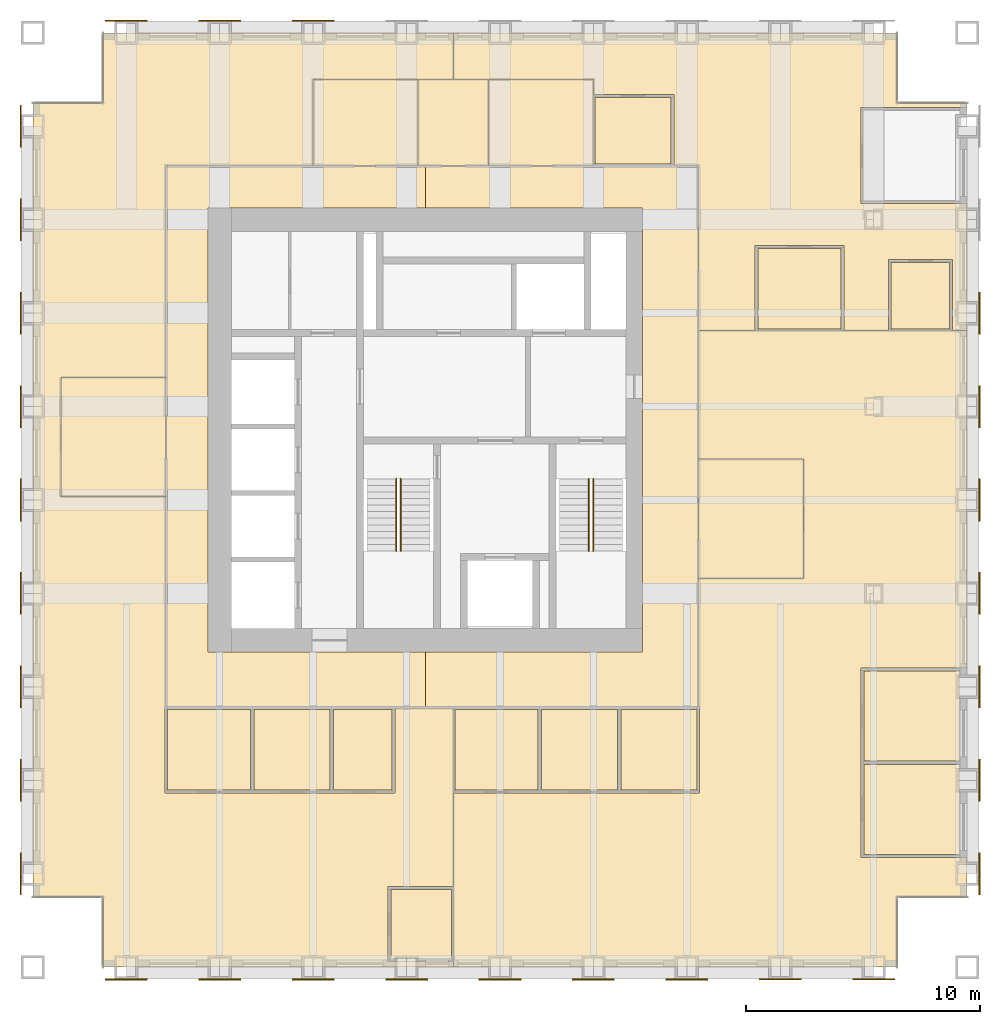
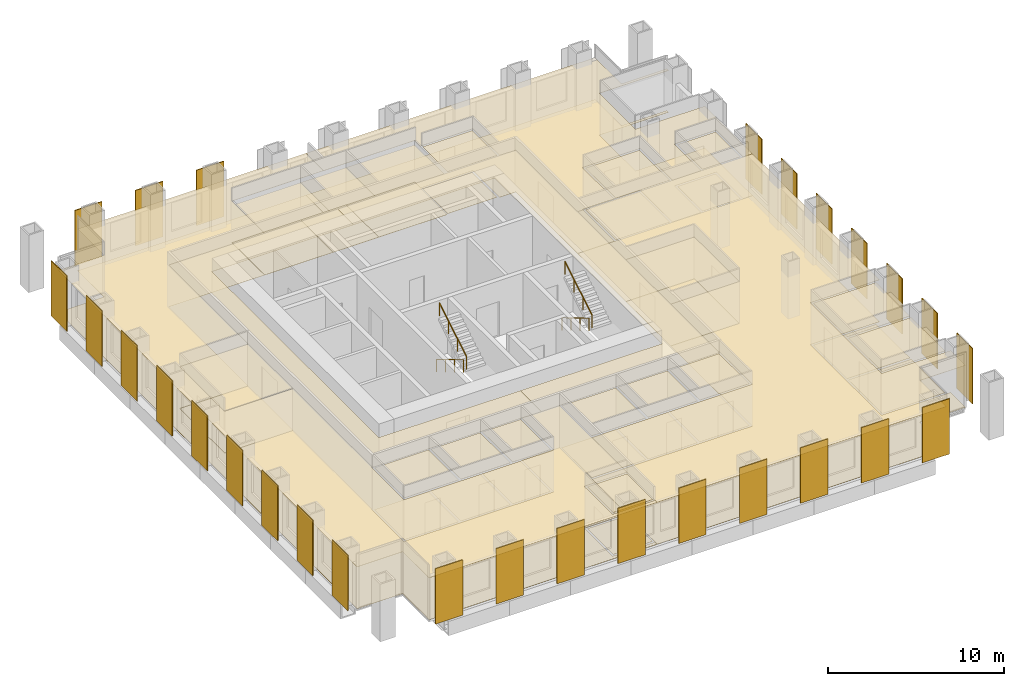
# One storey, part 12 of 13: 42 coverings, 28 shading devices, 4 railings.
"""IFC4 building model written with IfcOpenShell, lengths in metres."""

from ifc_helpers import new_model, si_unit, direction, frame, origin, origin_2d, place, context, subcontext, project, spatial, polyline, rectangle, circle, outline, extrude, material, layer, layer_set, type_object, element, save


model = new_model("IFC4")

# Units and contexts
model_context = context("Model", 3, precision=1e-05, world=origin(), true_north=direction((0.0, 1.0)))
body_context = subcontext(model_context, "Body", "Model", "MODEL_VIEW")
ifc_project = project(units=[si_unit("LENGTHUNIT", "METRE"), si_unit("AREAUNIT", "SQUARE_METRE"), si_unit("VOLUMEUNIT", "CUBIC_METRE"), si_unit("PLANEANGLEUNIT", "RADIAN"), si_unit("MASSUNIT", "GRAM", prefix="KILO")], contexts=[model_context])

# Site, building, storey
site_placement = place(None, origin())
site = spatial("IfcSite", under=ifc_project, at=site_placement, CompositionType="ELEMENT")
building_placement = place(site_placement, origin())
building = spatial("IfcBuilding", under=site, at=building_placement, Name="Rimbunsela Tower", CompositionType="ELEMENT")
storey_placement = place(building_placement, frame((0.0, 0.0, 262.199951171875)))
storey = spatial("IfcBuildingStorey", under=building, at=storey_placement, Name="L63", CompositionType="ELEMENT", Elevation=262.199951171875)

# Coverings
ifc_material_1 = material(Name="Nylon carpet tile", Category="textile")
ifc_layer_1 = layer(ifc_material_1, 0.010009765625)
ifc_layer_set_1 = layer_set([ifc_layer_1], Name="Carpet tile 10")
covering_type_1 = type_object("IfcCoveringType", Name="Carpet tile 10", PredefinedType="FLOORING", material=ifc_layer_set_1)
covering_1_placement = place(storey_placement, origin())
element("IfcCovering", 1, at=covering_1_placement, inside=storey, type_object=covering_type_1, Name="Floor finish Open office", PredefinedType="FLOORING", context=body_context, shape_type="SweptSolid", body=[
    extrude(outline(polyline([(19.449951171875, 11.449951171875), (22.75, 11.449951171875), (22.85009765625, 11.449951171875), (25.5, 11.449951171875), (25.5, 15.10009765625), (27.9990234375, 15.10009765625), (27.9990234375, 7.449951171875), (25.199951171875, 7.449951171875), (25.199951171875, 4.25), (27.9990234375, 4.25), (27.9990234375, 4.0), (15.699951171875, 4.0), (13.0, 4.0), (13.0, 7.0), (10.0, 7.0), (10.0, 41.0), (13.0, 41.0), (13.0, 44.0), (15.699951171875, 44.0), (27.9990234375, 44.0), (27.9990234375, 42.0), (22.0, 42.0), (22.0, 38.300048828125), (15.699951171875, 38.300048828125), (15.699951171875, 29.25), (11.199951171875, 29.25), (11.199951171875, 24.14990234375), (15.699951171875, 24.14990234375), (15.699951171875, 15.14990234375), (15.64990234375, 15.14990234375), (15.64990234375, 11.449951171875), (15.699951171875, 11.449951171875), (19.35009765625, 11.449951171875), (19.449951171875, 11.449951171875)])), origin(), (0.0, 0.0, 1.0), 0.010009765625),
])
covering_2_placement = place(storey_placement, origin())
element("IfcCovering", 2, at=covering_2_placement, inside=storey, type_object=covering_type_1, Name="Floor finish Open office", PredefinedType="FLOORING", context=body_context, shape_type="SweptSolid", body=[
    extrude(outline(polyline([(28.0009765625, 11.449951171875), (31.65087890625, 11.449951171875), (31.7509765625, 11.449951171875), (35.051025390625, 11.449951171875), (35.15087890625, 11.449951171875), (38.5, 11.449951171875), (38.550048828125, 11.449951171875), (38.550048828125, 15.14990234375), (38.5, 15.14990234375), (38.5, 20.64990234375), (43.0, 20.64990234375), (43.0, 25.75), (38.5, 25.75), (38.5, 31.2490234375), (50.0, 31.2490234375), (50.0, 16.800048828125), (45.449951171875, 16.800048828125), (45.449951171875, 12.800048828125), (45.449951171875, 12.699951171875), (45.449951171875, 8.699951171875), (50.0, 8.699951171875), (50.0, 7.0), (47.0, 7.0), (47.0, 4.0), (38.5, 4.0), (28.0009765625, 4.0), (28.0009765625, 11.449951171875)])), origin(), (0.0, 0.0, 1.0), 0.010009765625),
])
covering_3_placement = place(storey_placement, origin())
element("IfcCovering", 3, at=covering_3_placement, inside=storey, type_object=covering_type_1, Name="Floor finish Open office", PredefinedType="FLOORING", context=body_context, shape_type="SweptSolid", body=[
    extrude(outline(polyline([(50.0, 40.800048828125), (45.449951171875, 40.800048828125), (45.449951171875, 36.699951171875), (50.0, 36.699951171875), (50.0, 31.2509765625), (49.375, 31.2509765625), (49.375, 34.300048828125), (46.625, 34.300048828125), (46.625, 31.2509765625), (44.72509765625, 31.2509765625), (44.72509765625, 34.89990234375), (40.925048828125, 34.89990234375), (40.925048828125, 31.2509765625), (38.5, 31.2509765625), (38.5, 38.300048828125), (37.449951171875, 38.300048828125), (37.449951171875, 41.35009765625), (34.0, 41.35009765625), (34.0, 42.0), (28.0009765625, 42.0), (28.0009765625, 44.0), (38.5, 44.0), (47.0, 44.0), (47.0, 41.0), (50.0, 41.0), (50.0, 40.800048828125)])), origin(), (0.0, 0.0, 1.0), 0.010009765625),
])
covering_4_placement = place(storey_placement, origin())
element("IfcCovering", 4, at=covering_4_placement, inside=storey, type_object=covering_type_1, Name="Floor finish Reception", PredefinedType="FLOORING", context=body_context, shape_type="SweptSolid", body=[
    extrude(outline(polyline([(15.699951171875, 24.14990234375), (15.699951171875, 29.25), (11.199951171875, 29.25), (11.199951171875, 24.14990234375), (15.699951171875, 24.14990234375)])), origin(), (0.0, 0.0, 1.0), 0.010009765625),
])
covering_5_placement = place(storey_placement, origin())
element("IfcCovering", 5, at=covering_5_placement, inside=storey, type_object=covering_type_1, Name="Floor finish Reception", PredefinedType="FLOORING", context=body_context, shape_type="SweptSolid", body=[
    extrude(outline(polyline([(43.0, 20.64990234375), (43.0, 25.75), (38.5, 25.75), (38.5, 20.64990234375), (43.0, 20.64990234375)])), origin(), (0.0, 0.0, 1.0), 0.010009765625),
])
covering_6_placement = place(storey_placement, origin())
element("IfcCovering", 6, at=covering_6_placement, inside=storey, type_object=covering_type_1, Name="Floor finish Executive office", PredefinedType="FLOORING", context=body_context, shape_type="SweptSolid", body=[
    extrude(outline(polyline([(49.699951171875, 8.824951171875), (49.699951171875, 12.675048828125), (45.574951171875, 12.675048828125), (45.574951171875, 8.824951171875), (49.699951171875, 8.824951171875)])), origin(), (0.0, 0.0, 1.0), 0.010009765625),
])
covering_7_placement = place(storey_placement, origin())
element("IfcCovering", 7, at=covering_7_placement, inside=storey, type_object=covering_type_1, Name="Floor finish Executive office", PredefinedType="FLOORING", context=body_context, shape_type="SweptSolid", body=[
    extrude(outline(polyline([(49.699951171875, 12.824951171875), (49.699951171875, 16.675048828125), (45.574951171875, 16.675048828125), (45.574951171875, 12.824951171875), (49.699951171875, 12.824951171875)])), origin(), (0.0, 0.0, 1.0), 0.010009765625),
])
covering_8_placement = place(storey_placement, origin())
element("IfcCovering", 8, at=covering_8_placement, inside=storey, type_object=covering_type_1, Name="Floor finish Meeting room", PredefinedType="FLOORING", context=body_context, shape_type="SweptSolid", body=[
    extrude(outline(polyline([(19.324951171875, 11.574951171875), (19.324951171875, 15.02490234375), (15.77490234375, 15.02490234375), (15.77490234375, 11.574951171875), (19.324951171875, 11.574951171875)])), origin(), (0.0, 0.0, 1.0), 0.010009765625),
])
covering_9_placement = place(storey_placement, origin())
element("IfcCovering", 9, at=covering_9_placement, inside=storey, type_object=covering_type_1, Name="Floor finish Pantry", PredefinedType="FLOORING", context=body_context, shape_type="SweptSolid", body=[
    extrude(outline(polyline([(22.72509765625, 11.574951171875), (22.72509765625, 15.02490234375), (19.47509765625, 15.02490234375), (19.47509765625, 11.574951171875), (22.72509765625, 11.574951171875)])), origin(), (0.0, 0.0, 1.0), 0.010009765625),
])
covering_10_placement = place(storey_placement, origin())
element("IfcCovering", 10, at=covering_10_placement, inside=storey, type_object=covering_type_1, Name="Floor finish Print and copy room", PredefinedType="FLOORING", context=body_context, shape_type="SweptSolid", body=[
    extrude(outline(polyline([(25.375, 11.574951171875), (25.375, 15.02490234375), (22.875, 15.02490234375), (22.875, 11.574951171875), (25.375, 11.574951171875)])), origin(), (0.0, 0.0, 1.0), 0.010009765625),
])
covering_11_placement = place(storey_placement, origin())
element("IfcCovering", 11, at=covering_11_placement, inside=storey, type_object=covering_type_1, Name="Floor finish Meeting room", PredefinedType="FLOORING", context=body_context, shape_type="SweptSolid", body=[
    extrude(outline(polyline([(31.6259765625, 11.574951171875), (31.6259765625, 15.02490234375), (28.075927734375, 15.02490234375), (28.075927734375, 11.574951171875), (31.6259765625, 11.574951171875)])), origin(), (0.0, 0.0, 1.0), 0.010009765625),
])
covering_12_placement = place(storey_placement, origin())
element("IfcCovering", 12, at=covering_12_placement, inside=storey, type_object=covering_type_1, Name="Floor finish Pantry", PredefinedType="FLOORING", context=body_context, shape_type="SweptSolid", body=[
    extrude(outline(polyline([(35.02587890625, 11.574951171875), (35.02587890625, 15.02490234375), (31.77587890625, 15.02490234375), (31.77587890625, 11.574951171875), (35.02587890625, 11.574951171875)])), origin(), (0.0, 0.0, 1.0), 0.010009765625),
])
covering_13_placement = place(storey_placement, origin())
element("IfcCovering", 13, at=covering_13_placement, inside=storey, type_object=covering_type_1, Name="Floor finish Print and copy room", PredefinedType="FLOORING", context=body_context, shape_type="SweptSolid", body=[
    extrude(outline(polyline([(38.425048828125, 11.574951171875), (38.425048828125, 15.02490234375), (35.176025390625, 15.02490234375), (35.176025390625, 11.574951171875), (38.425048828125, 11.574951171875)])), origin(), (0.0, 0.0, 1.0), 0.010009765625),
])
covering_14_placement = place(storey_placement, origin())
element("IfcCovering", 14, at=covering_14_placement, inside=storey, type_object=covering_type_1, Name="Floor finish Office", PredefinedType="FLOORING", context=body_context, shape_type="SweptSolid", body=[
    extrude(outline(polyline([(27.925048828125, 4.375), (27.925048828125, 7.324951171875), (25.324951171875, 7.324951171875), (25.324951171875, 4.375), (27.925048828125, 4.375)])), origin(), (0.0, 0.0, 1.0), 0.010009765625),
])
covering_15_placement = place(storey_placement, origin())
element("IfcCovering", 15, at=covering_15_placement, inside=storey, type_object=covering_type_1, Name="Floor finish Meeting room", PredefinedType="FLOORING", context=body_context, shape_type="SweptSolid", body=[
    extrude(outline(polyline([(44.60009765625, 31.324951171875), (44.60009765625, 34.77490234375), (41.050048828125, 34.77490234375), (41.050048828125, 31.324951171875), (44.60009765625, 31.324951171875)])), origin(), (0.0, 0.0, 1.0), 0.010009765625),
])
covering_16_placement = place(storey_placement, origin())
element("IfcCovering", 16, at=covering_16_placement, inside=storey, type_object=covering_type_1, Name="Floor finish Pantry", PredefinedType="FLOORING", context=body_context, shape_type="SweptSolid", body=[
    extrude(outline(polyline([(37.324951171875, 38.375), (37.324951171875, 41.22509765625), (34.074951171875, 41.22509765625), (34.074951171875, 38.375), (37.324951171875, 38.375)])), origin(), (0.0, 0.0, 1.0), 0.010009765625),
])
covering_17_placement = place(storey_placement, origin())
element("IfcCovering", 17, at=covering_17_placement, inside=storey, type_object=covering_type_1, Name="Floor finish Print and copy room", PredefinedType="FLOORING", context=body_context, shape_type="SweptSolid", body=[
    extrude(outline(polyline([(49.25, 31.324951171875), (49.25, 34.175048828125), (46.75, 34.175048828125), (46.75, 31.324951171875), (49.25, 31.324951171875)])), origin(), (0.0, 0.0, 1.0), 0.010009765625),
])
ifc_material_2 = material(Name="Mineral fibre ceiling tile", Category="gypsum")
ifc_layer_2 = layer(ifc_material_2, 0.02001953125)
ifc_layer_set_2 = layer_set([ifc_layer_2], Name="Ceiling 600 grid")
covering_type_2 = type_object("IfcCoveringType", Name="Ceiling 600 grid", PredefinedType="CEILING", material=ifc_layer_set_2)
covering_18_placement = place(storey_placement, frame((0.0, 0.0, 2.900146484375)))
element("IfcCovering", 18, at=covering_18_placement, inside=storey, type_object=covering_type_2, Name="Ceiling Ring corridor", PredefinedType="CEILING", context=body_context, shape_type="SweptSolid", body=[
    extrude(outline(polyline([(15.699951171875, 38.300048828125), (26.800048828125, 38.300048828125), (26.800048828125, 36.5), (17.5, 36.5), (17.5, 17.5), (26.800048828125, 17.5), (26.800048828125, 15.10009765625), (15.699951171875, 15.10009765625), (15.699951171875, 38.300048828125)])), origin(), (0.0, 0.0, 1.0), 0.02001953125),
])
covering_19_placement = place(storey_placement, frame((0.0, 0.0, 2.900146484375)))
element("IfcCovering", 19, at=covering_19_placement, inside=storey, type_object=covering_type_2, Name="Ceiling Ring corridor", PredefinedType="CEILING", context=body_context, shape_type="SweptSolid", body=[
    extrude(outline(polyline([(38.5, 38.300048828125), (38.5, 15.10009765625), (26.800048828125, 15.10009765625), (26.800048828125, 17.5), (36.10009765625, 17.5), (36.10009765625, 36.5), (26.800048828125, 36.5), (26.800048828125, 38.300048828125), (38.5, 38.300048828125)])), origin(), (0.0, 0.0, 1.0), 0.02001953125),
])
covering_20_placement = place(storey_placement, frame((0.0, 0.0, 2.900146484375)))
element("IfcCovering", 20, at=covering_20_placement, inside=storey, type_object=covering_type_2, Name="Ceiling Open office", PredefinedType="CEILING", context=body_context, shape_type="SweptSolid", body=[
    extrude(outline(polyline([(19.449951171875, 11.449951171875), (22.75, 11.449951171875), (22.85009765625, 11.449951171875), (25.5, 11.449951171875), (25.5, 15.10009765625), (27.9990234375, 15.10009765625), (27.9990234375, 7.449951171875), (25.199951171875, 7.449951171875), (25.199951171875, 4.25), (27.9990234375, 4.25), (27.9990234375, 4.0), (15.699951171875, 4.0), (13.0, 4.0), (13.0, 7.0), (10.0, 7.0), (10.0, 41.0), (13.0, 41.0), (13.0, 44.0), (15.699951171875, 44.0), (27.9990234375, 44.0), (27.9990234375, 42.0), (22.0, 42.0), (22.0, 38.300048828125), (15.699951171875, 38.300048828125), (15.699951171875, 29.25), (11.199951171875, 29.25), (11.199951171875, 24.14990234375), (15.699951171875, 24.14990234375), (15.699951171875, 15.14990234375), (15.64990234375, 15.14990234375), (15.64990234375, 11.449951171875), (15.699951171875, 11.449951171875), (19.35009765625, 11.449951171875), (19.449951171875, 11.449951171875)])), origin(), (0.0, 0.0, 1.0), 0.02001953125),
])
covering_21_placement = place(storey_placement, frame((0.0, 0.0, 2.900146484375)))
element("IfcCovering", 21, at=covering_21_placement, inside=storey, type_object=covering_type_2, Name="Ceiling Open office", PredefinedType="CEILING", context=body_context, shape_type="SweptSolid", body=[
    extrude(outline(polyline([(28.0009765625, 11.449951171875), (31.65087890625, 11.449951171875), (31.7509765625, 11.449951171875), (35.051025390625, 11.449951171875), (35.15087890625, 11.449951171875), (38.5, 11.449951171875), (38.550048828125, 11.449951171875), (38.550048828125, 15.14990234375), (38.5, 15.14990234375), (38.5, 20.64990234375), (43.0, 20.64990234375), (43.0, 25.75), (38.5, 25.75), (38.5, 31.2490234375), (50.0, 31.2490234375), (50.0, 16.800048828125), (45.449951171875, 16.800048828125), (45.449951171875, 12.800048828125), (45.449951171875, 12.699951171875), (45.449951171875, 8.699951171875), (50.0, 8.699951171875), (50.0, 7.0), (47.0, 7.0), (47.0, 4.0), (38.5, 4.0), (28.0009765625, 4.0), (28.0009765625, 11.449951171875)])), origin(), (0.0, 0.0, 1.0), 0.02001953125),
])
covering_22_placement = place(storey_placement, frame((0.0, 0.0, 2.900146484375)))
element("IfcCovering", 22, at=covering_22_placement, inside=storey, type_object=covering_type_2, Name="Ceiling Open office", PredefinedType="CEILING", context=body_context, shape_type="SweptSolid", body=[
    extrude(outline(polyline([(50.0, 40.800048828125), (45.449951171875, 40.800048828125), (45.449951171875, 36.699951171875), (50.0, 36.699951171875), (50.0, 31.2509765625), (49.375, 31.2509765625), (49.375, 34.300048828125), (46.625, 34.300048828125), (46.625, 31.2509765625), (44.72509765625, 31.2509765625), (44.72509765625, 34.89990234375), (40.925048828125, 34.89990234375), (40.925048828125, 31.2509765625), (38.5, 31.2509765625), (38.5, 38.300048828125), (37.449951171875, 38.300048828125), (37.449951171875, 41.35009765625), (34.0, 41.35009765625), (34.0, 42.0), (28.0009765625, 42.0), (28.0009765625, 44.0), (38.5, 44.0), (47.0, 44.0), (47.0, 41.0), (50.0, 41.0), (50.0, 40.800048828125)])), origin(), (0.0, 0.0, 1.0), 0.02001953125),
])
covering_23_placement = place(storey_placement, frame((0.0, 0.0, 2.900146484375)))
element("IfcCovering", 23, at=covering_23_placement, inside=storey, type_object=covering_type_2, Name="Ceiling Reception", PredefinedType="CEILING", context=body_context, shape_type="SweptSolid", body=[
    extrude(outline(polyline([(15.699951171875, 24.14990234375), (15.699951171875, 29.25), (11.199951171875, 29.25), (11.199951171875, 24.14990234375), (15.699951171875, 24.14990234375)])), origin(), (0.0, 0.0, 1.0), 0.02001953125),
])
covering_24_placement = place(storey_placement, frame((0.0, 0.0, 2.900146484375)))
element("IfcCovering", 24, at=covering_24_placement, inside=storey, type_object=covering_type_2, Name="Ceiling Reception", PredefinedType="CEILING", context=body_context, shape_type="SweptSolid", body=[
    extrude(outline(polyline([(43.0, 20.64990234375), (43.0, 25.75), (38.5, 25.75), (38.5, 20.64990234375), (43.0, 20.64990234375)])), origin(), (0.0, 0.0, 1.0), 0.02001953125),
])
covering_25_placement = place(storey_placement, frame((0.0, 0.0, 2.900146484375)))
element("IfcCovering", 25, at=covering_25_placement, inside=storey, type_object=covering_type_2, Name="Ceiling Executive office", PredefinedType="CEILING", context=body_context, shape_type="SweptSolid", body=[
    extrude(outline(polyline([(49.699951171875, 8.824951171875), (49.699951171875, 12.675048828125), (45.574951171875, 12.675048828125), (45.574951171875, 8.824951171875), (49.699951171875, 8.824951171875)])), origin(), (0.0, 0.0, 1.0), 0.02001953125),
])
covering_26_placement = place(storey_placement, frame((0.0, 0.0, 2.900146484375)))
element("IfcCovering", 26, at=covering_26_placement, inside=storey, type_object=covering_type_2, Name="Ceiling Executive office", PredefinedType="CEILING", context=body_context, shape_type="SweptSolid", body=[
    extrude(outline(polyline([(49.699951171875, 12.824951171875), (49.699951171875, 16.675048828125), (45.574951171875, 16.675048828125), (45.574951171875, 12.824951171875), (49.699951171875, 12.824951171875)])), origin(), (0.0, 0.0, 1.0), 0.02001953125),
])
covering_27_placement = place(storey_placement, frame((0.0, 0.0, 2.900146484375)))
element("IfcCovering", 27, at=covering_27_placement, inside=storey, type_object=covering_type_2, Name="Ceiling Meeting room", PredefinedType="CEILING", context=body_context, shape_type="SweptSolid", body=[
    extrude(outline(polyline([(19.324951171875, 11.574951171875), (19.324951171875, 15.02490234375), (15.77490234375, 15.02490234375), (15.77490234375, 11.574951171875), (19.324951171875, 11.574951171875)])), origin(), (0.0, 0.0, 1.0), 0.02001953125),
])
covering_28_placement = place(storey_placement, frame((0.0, 0.0, 2.900146484375)))
element("IfcCovering", 28, at=covering_28_placement, inside=storey, type_object=covering_type_2, Name="Ceiling Pantry", PredefinedType="CEILING", context=body_context, shape_type="SweptSolid", body=[
    extrude(outline(polyline([(22.72509765625, 11.574951171875), (22.72509765625, 15.02490234375), (19.47509765625, 15.02490234375), (19.47509765625, 11.574951171875), (22.72509765625, 11.574951171875)])), origin(), (0.0, 0.0, 1.0), 0.02001953125),
])
covering_29_placement = place(storey_placement, frame((0.0, 0.0, 2.900146484375)))
element("IfcCovering", 29, at=covering_29_placement, inside=storey, type_object=covering_type_2, Name="Ceiling Print and copy room", PredefinedType="CEILING", context=body_context, shape_type="SweptSolid", body=[
    extrude(outline(polyline([(25.375, 11.574951171875), (25.375, 15.02490234375), (22.875, 15.02490234375), (22.875, 11.574951171875), (25.375, 11.574951171875)])), origin(), (0.0, 0.0, 1.0), 0.02001953125),
])
covering_30_placement = place(storey_placement, frame((0.0, 0.0, 2.900146484375)))
element("IfcCovering", 30, at=covering_30_placement, inside=storey, type_object=covering_type_2, Name="Ceiling Meeting room", PredefinedType="CEILING", context=body_context, shape_type="SweptSolid", body=[
    extrude(outline(polyline([(31.6259765625, 11.574951171875), (31.6259765625, 15.02490234375), (28.075927734375, 15.02490234375), (28.075927734375, 11.574951171875), (31.6259765625, 11.574951171875)])), origin(), (0.0, 0.0, 1.0), 0.02001953125),
])
covering_31_placement = place(storey_placement, frame((0.0, 0.0, 2.900146484375)))
element("IfcCovering", 31, at=covering_31_placement, inside=storey, type_object=covering_type_2, Name="Ceiling Pantry", PredefinedType="CEILING", context=body_context, shape_type="SweptSolid", body=[
    extrude(outline(polyline([(35.02587890625, 11.574951171875), (35.02587890625, 15.02490234375), (31.77587890625, 15.02490234375), (31.77587890625, 11.574951171875), (35.02587890625, 11.574951171875)])), origin(), (0.0, 0.0, 1.0), 0.02001953125),
])
covering_32_placement = place(storey_placement, frame((0.0, 0.0, 2.900146484375)))
element("IfcCovering", 32, at=covering_32_placement, inside=storey, type_object=covering_type_2, Name="Ceiling Print and copy room", PredefinedType="CEILING", context=body_context, shape_type="SweptSolid", body=[
    extrude(outline(polyline([(38.425048828125, 11.574951171875), (38.425048828125, 15.02490234375), (35.176025390625, 15.02490234375), (35.176025390625, 11.574951171875), (38.425048828125, 11.574951171875)])), origin(), (0.0, 0.0, 1.0), 0.02001953125),
])
covering_33_placement = place(storey_placement, frame((0.0, 0.0, 2.900146484375)))
element("IfcCovering", 33, at=covering_33_placement, inside=storey, type_object=covering_type_2, Name="Ceiling Office", PredefinedType="CEILING", context=body_context, shape_type="SweptSolid", body=[
    extrude(outline(polyline([(27.925048828125, 4.375), (27.925048828125, 7.324951171875), (25.324951171875, 7.324951171875), (25.324951171875, 4.375), (27.925048828125, 4.375)])), origin(), (0.0, 0.0, 1.0), 0.02001953125),
])
covering_34_placement = place(storey_placement, frame((0.0, 0.0, 2.900146484375)))
element("IfcCovering", 34, at=covering_34_placement, inside=storey, type_object=covering_type_2, Name="Ceiling Meeting room", PredefinedType="CEILING", context=body_context, shape_type="SweptSolid", body=[
    extrude(outline(polyline([(44.60009765625, 31.324951171875), (44.60009765625, 34.77490234375), (41.050048828125, 34.77490234375), (41.050048828125, 31.324951171875), (44.60009765625, 31.324951171875)])), origin(), (0.0, 0.0, 1.0), 0.02001953125),
])
covering_35_placement = place(storey_placement, frame((0.0, 0.0, 2.900146484375)))
element("IfcCovering", 35, at=covering_35_placement, inside=storey, type_object=covering_type_2, Name="Ceiling Pantry", PredefinedType="CEILING", context=body_context, shape_type="SweptSolid", body=[
    extrude(outline(polyline([(37.324951171875, 38.375), (37.324951171875, 41.22509765625), (34.074951171875, 41.22509765625), (34.074951171875, 38.375), (37.324951171875, 38.375)])), origin(), (0.0, 0.0, 1.0), 0.02001953125),
])
covering_36_placement = place(storey_placement, frame((0.0, 0.0, 2.900146484375)))
element("IfcCovering", 36, at=covering_36_placement, inside=storey, type_object=covering_type_2, Name="Ceiling Print and copy room", PredefinedType="CEILING", context=body_context, shape_type="SweptSolid", body=[
    extrude(outline(polyline([(49.25, 31.324951171875), (49.25, 34.175048828125), (46.75, 34.175048828125), (46.75, 31.324951171875), (49.25, 31.324951171875)])), origin(), (0.0, 0.0, 1.0), 0.02001953125),
])
ifc_material_3 = material(Name="Moisture-resistant plasterboard ceiling", Category="gypsum")
ifc_layer_3 = layer(ifc_material_3, 0.012451171875)
ifc_layer_set_3 = layer_set([ifc_layer_3], Name="Ceiling moisture-resistant board")
covering_type_3 = type_object("IfcCoveringType", Name="Ceiling moisture-resistant board", PredefinedType="CEILING", material=ifc_layer_set_3)
covering_37_placement = place(storey_placement, frame((0.0, 0.0, 2.60009765625)))
element("IfcCovering", 37, at=covering_37_placement, inside=storey, type_object=covering_type_3, Name="Ceiling Female WC", PredefinedType="CEILING", context=body_context, shape_type="SweptSolid", body=[
    extrude(outline(polyline([(26.5, 38.300048828125), (26.5, 42.0), (22.0, 42.0), (22.0, 38.300048828125), (26.5, 38.300048828125)])), origin(), (0.0, 0.0, 1.0), 0.02001953125),
])
covering_38_placement = place(storey_placement, frame((0.0, 0.0, 2.60009765625)))
element("IfcCovering", 38, at=covering_38_placement, inside=storey, type_object=covering_type_3, Name="Ceiling Accessible WC", PredefinedType="CEILING", context=body_context, shape_type="SweptSolid", body=[
    extrude(outline(polyline([(29.5, 38.300048828125), (29.5, 42.0), (26.5, 42.0), (26.5, 38.300048828125), (29.5, 38.300048828125)])), origin(), (0.0, 0.0, 1.0), 0.02001953125),
])
covering_39_placement = place(storey_placement, frame((0.0, 0.0, 2.60009765625)))
element("IfcCovering", 39, at=covering_39_placement, inside=storey, type_object=covering_type_3, Name="Ceiling Male WC", PredefinedType="CEILING", context=body_context, shape_type="SweptSolid", body=[
    extrude(outline(polyline([(34.0, 38.300048828125), (34.0, 42.0), (29.5, 42.0), (29.5, 38.300048828125), (34.0, 38.300048828125)])), origin(), (0.0, 0.0, 1.0), 0.02001953125),
])
ifc_material_4 = material(Name="Porcelain floor tile in adhesive bed", Category="ceramic")
ifc_layer_4 = layer(ifc_material_4, 0.02001953125)
ifc_layer_set_4 = layer_set([ifc_layer_4], Name="Porcelain tile 20")
covering_type_4 = type_object("IfcCoveringType", Name="Porcelain tile 20", PredefinedType="FLOORING", material=ifc_layer_set_4)
covering_40_placement = place(storey_placement, origin())
element("IfcCovering", 40, at=covering_40_placement, inside=storey, type_object=covering_type_4, Name="Floor finish Female WC", PredefinedType="FLOORING", context=body_context, shape_type="SweptSolid", body=[
    extrude(outline(polyline([(26.5, 38.300048828125), (26.5, 42.0), (22.0, 42.0), (22.0, 38.300048828125), (26.5, 38.300048828125)])), origin(), (0.0, 0.0, 1.0), 0.02001953125),
])
covering_41_placement = place(storey_placement, origin())
element("IfcCovering", 41, at=covering_41_placement, inside=storey, type_object=covering_type_4, Name="Floor finish Accessible WC", PredefinedType="FLOORING", context=body_context, shape_type="SweptSolid", body=[
    extrude(outline(polyline([(29.5, 38.300048828125), (29.5, 42.0), (26.5, 42.0), (26.5, 38.300048828125), (29.5, 38.300048828125)])), origin(), (0.0, 0.0, 1.0), 0.02001953125),
])
covering_42_placement = place(storey_placement, origin())
element("IfcCovering", 42, at=covering_42_placement, inside=storey, type_object=covering_type_4, Name="Floor finish Male WC", PredefinedType="FLOORING", context=body_context, shape_type="SweptSolid", body=[
    extrude(outline(polyline([(34.0, 38.300048828125), (34.0, 42.0), (29.5, 42.0), (29.5, 38.300048828125), (34.0, 38.300048828125)])), origin(), (0.0, 0.0, 1.0), 0.02001953125),
])

# Shading devices
ifc_material_5 = material(Name="Perforated aluminium, 35 % open area", Category="aluminium")
ifc_layer_5 = layer(ifc_material_5, 0.050048828125)
ifc_layer_set_5 = layer_set([ifc_layer_5], Name="Solar screen panel 1800")
shading_device_type = type_object("IfcShadingDeviceType", Name="Solar screen panel 1800", PredefinedType="USERDEFINED", material=ifc_layer_set_5)
for number, where, z_axis, x_axis, name in (
    (43, (14.0, 3.47509765625, 0.0), (0.0, 0.0, 1.0), (1.0, 0.0, 0.0), "Solar screen S L63"),
    (44, (18.0, 3.47509765625, 0.0), (0.0, 0.0, 1.0), (1.0, 0.0, 0.0), "Solar screen S L63"),
    (45, (22.0, 3.47509765625, 0.0), (0.0, 0.0, 1.0), (1.0, 0.0, 0.0), "Solar screen S L63"),
    (46, (26.0, 3.47509765625, 0.0), (0.0, 0.0, 1.0), (1.0, 0.0, 0.0), "Solar screen S L63"),
    (47, (30.0, 3.47509765625, 0.0), (0.0, 0.0, 1.0), (1.0, 0.0, 0.0), "Solar screen S L63"),
    (48, (34.0, 3.47509765625, 0.0), (0.0, 0.0, 1.0), (1.0, 0.0, 0.0), "Solar screen S L63"),
    (49, (38.0, 3.47509765625, 0.0), (0.0, 0.0, 1.0), (1.0, 0.0, 0.0), "Solar screen S L63"),
    (50, (42.0, 3.47509765625, 0.0), (0.0, 0.0, 1.0), (1.0, 0.0, 0.0), "Solar screen S L63"),
    (51, (46.0, 3.47509765625, 0.0), (0.0, 0.0, 1.0), (1.0, 0.0, 0.0), "Solar screen S L63"),
    (52, (50.52490234375, 8.0, 0.0), (0.0, 0.0, 1.0), (0.0, 1.0, 0.0), "Solar screen E L63"),
    (53, (50.52490234375, 12.0, 0.0), (0.0, 0.0, 1.0), (0.0, 1.0, 0.0), "Solar screen E L63"),
    (54, (50.52490234375, 16.0, 0.0), (0.0, 0.0, 1.0), (0.0, 1.0, 0.0), "Solar screen E L63"),
    (55, (50.52490234375, 20.0, 0.0), (0.0, 0.0, 1.0), (0.0, 1.0, 0.0), "Solar screen E L63"),
    (56, (50.52490234375, 24.0, 0.0), (0.0, 0.0, 1.0), (0.0, 1.0, 0.0), "Solar screen E L63"),
    (57, (50.52490234375, 28.0, 0.0), (0.0, 0.0, 1.0), (0.0, 1.0, 0.0), "Solar screen E L63"),
    (58, (50.52490234375, 32.0, 0.0), (0.0, 0.0, 1.0), (0.0, 1.0, 0.0), "Solar screen E L63"),
    (59, (14.0, 44.52490234375, 0.0), (0.0, 0.0, 1.0), (1.0, 0.0, 0.0), "Solar screen N L63"),
    (60, (18.0, 44.52490234375, 0.0), (0.0, 0.0, 1.0), (1.0, 0.0, 0.0), "Solar screen N L63"),
    (61, (22.0, 44.52490234375, 0.0), (0.0, 0.0, 1.0), (1.0, 0.0, 0.0), "Solar screen N L63"),
    (62, (9.47509765625, 8.0, 0.0), (0.0, 0.0, 1.0), (0.0, 1.0, 0.0), "Solar screen W L63"),
    (63, (9.47509765625, 12.0, 0.0), (0.0, 0.0, 1.0), (0.0, 1.0, 0.0), "Solar screen W L63"),
    (64, (9.47509765625, 16.0, 0.0), (0.0, 0.0, 1.0), (0.0, 1.0, 0.0), "Solar screen W L63"),
    (65, (9.47509765625, 20.0, 0.0), (0.0, 0.0, 1.0), (0.0, 1.0, 0.0), "Solar screen W L63"),
    (66, (9.47509765625, 24.0, 0.0), (0.0, 0.0, 1.0), (0.0, 1.0, 0.0), "Solar screen W L63"),
    (67, (9.47509765625, 28.0, 0.0), (0.0, 0.0, 1.0), (0.0, 1.0, 0.0), "Solar screen W L63"),
    (68, (9.47509765625, 32.0, 0.0), (0.0, 0.0, 1.0), (0.0, 1.0, 0.0), "Solar screen W L63"),
    (69, (9.47509765625, 36.0, 0.0), (0.0, 0.0, 1.0), (0.0, 1.0, 0.0), "Solar screen W L63"),
    (70, (9.47509765625, 40.0, 0.0), (0.0, 0.0, 1.0), (0.0, 1.0, 0.0), "Solar screen W L63"),
):
    element("IfcShadingDevice", number, at=place(storey_placement, frame(where, z_axis=z_axis, x_axis=x_axis)), inside=storey, type_object=shading_device_type, Name=name, ObjectType="SCREEN", PredefinedType="USERDEFINED", context=body_context, shape_type="SweptSolid", body=[
        extrude(rectangle(XDim=1.800048828125, YDim=0.050048828125, at=origin_2d()), origin(), (0.0, 0.0, 1.0), 3.85009765625),
    ])

# Railings
ifc_material_6 = material(Name="Stainless steel tube", Category="steel")
railing_type = type_object("IfcRailingType", Name="Stair handrail 900", PredefinedType="HANDRAIL", material=ifc_material_6)
railing_1_placement = place(storey_placement, frame((25.550048828125, 24.89990234375, 0.166748046875)))
element("IfcRailing", 71, at=railing_1_placement, inside=storey, type_object=railing_type, Name="Handrail ST-A flight 1", PredefinedType="HANDRAIL", context=body_context, shape_type="SweptSolid", body=[
    extrude(circle(Radius=0.02392578125, at=origin_2d()), frame((0.0, 0.0, 0.8759765625), z_axis=(0.0, -0.859290745958, 0.51148745235), x_axis=(1.0, 0.0, 0.0)), (0.0, 0.0, 1.0), 3.584228515625),
    extrude(circle(Radius=0.02099609375, at=origin_2d()), origin(), (0.0, 0.0, 1.0), 0.851806640625),
    extrude(circle(Radius=0.02099609375, at=origin_2d()), frame((0.0, -1.026611328125, 0.611083984375)), (0.0, 0.0, 1.0), 0.851806640625),
    extrude(circle(Radius=0.02099609375, at=origin_2d()), frame((0.0, -2.05322265625, 1.22216796875)), (0.0, 0.0, 1.0), 0.851806640625),
    extrude(circle(Radius=0.02099609375, at=origin_2d()), frame((0.0, -3.079833984375, 1.833251953125)), (0.0, 0.0, 1.0), 0.851806640625),
])
railing_2_placement = place(storey_placement, frame((25.75, 21.820068359375, 2.166748046875)))
element("IfcRailing", 72, at=railing_2_placement, inside=storey, type_object=railing_type, Name="Handrail ST-A flight 2", PredefinedType="HANDRAIL", context=body_context, shape_type="SweptSolid", body=[
    extrude(circle(Radius=0.02392578125, at=origin_2d()), frame((0.0, 0.0, 0.8759765625), z_axis=(0.0, 0.859290745958, 0.51148745235), x_axis=(-1.0, 0.0, 0.0)), (0.0, 0.0, 1.0), 3.584228515625),
    extrude(circle(Radius=0.02099609375, at=origin_2d()), origin(), (0.0, 0.0, 1.0), 0.851806640625),
    extrude(circle(Radius=0.02099609375, at=origin_2d()), frame((0.0, 1.026611328125, 0.611083984375)), (0.0, 0.0, 1.0), 0.851806640625),
    extrude(circle(Radius=0.02099609375, at=origin_2d()), frame((0.0, 2.05322265625, 1.22216796875)), (0.0, 0.0, 1.0), 0.851806640625),
    extrude(circle(Radius=0.02099609375, at=origin_2d()), frame((0.0, 3.079833984375, 1.833251953125)), (0.0, 0.0, 1.0), 0.851806640625),
])
railing_3_placement = place(storey_placement, frame((33.800048828125, 24.89990234375, 0.166748046875)))
element("IfcRailing", 73, at=railing_3_placement, inside=storey, type_object=railing_type, Name="Handrail ST-B flight 1", PredefinedType="HANDRAIL", context=body_context, shape_type="SweptSolid", body=[
    extrude(circle(Radius=0.02392578125, at=origin_2d()), frame((0.0, 0.0, 0.8759765625), z_axis=(0.0, -0.859290745958, 0.51148745235), x_axis=(1.0, 0.0, 0.0)), (0.0, 0.0, 1.0), 3.584228515625),
    extrude(circle(Radius=0.02099609375, at=origin_2d()), origin(), (0.0, 0.0, 1.0), 0.851806640625),
    extrude(circle(Radius=0.02099609375, at=origin_2d()), frame((0.0, -1.026611328125, 0.611083984375)), (0.0, 0.0, 1.0), 0.851806640625),
    extrude(circle(Radius=0.02099609375, at=origin_2d()), frame((0.0, -2.05322265625, 1.22216796875)), (0.0, 0.0, 1.0), 0.851806640625),
    extrude(circle(Radius=0.02099609375, at=origin_2d()), frame((0.0, -3.079833984375, 1.833251953125)), (0.0, 0.0, 1.0), 0.851806640625),
])
railing_4_placement = place(storey_placement, frame((34.0, 21.820068359375, 2.166748046875)))
element("IfcRailing", 74, at=railing_4_placement, inside=storey, type_object=railing_type, Name="Handrail ST-B flight 2", PredefinedType="HANDRAIL", context=body_context, shape_type="SweptSolid", body=[
    extrude(circle(Radius=0.02392578125, at=origin_2d()), frame((0.0, 0.0, 0.8759765625), z_axis=(0.0, 0.859290745958, 0.51148745235), x_axis=(-1.0, 0.0, 0.0)), (0.0, 0.0, 1.0), 3.584228515625),
    extrude(circle(Radius=0.02099609375, at=origin_2d()), origin(), (0.0, 0.0, 1.0), 0.851806640625),
    extrude(circle(Radius=0.02099609375, at=origin_2d()), frame((0.0, 1.026611328125, 0.611083984375)), (0.0, 0.0, 1.0), 0.851806640625),
    extrude(circle(Radius=0.02099609375, at=origin_2d()), frame((0.0, 2.05322265625, 1.22216796875)), (0.0, 0.0, 1.0), 0.851806640625),
    extrude(circle(Radius=0.02099609375, at=origin_2d()), frame((0.0, 3.079833984375, 1.833251953125)), (0.0, 0.0, 1.0), 0.851806640625),
])

save(model, "model.ifc")
